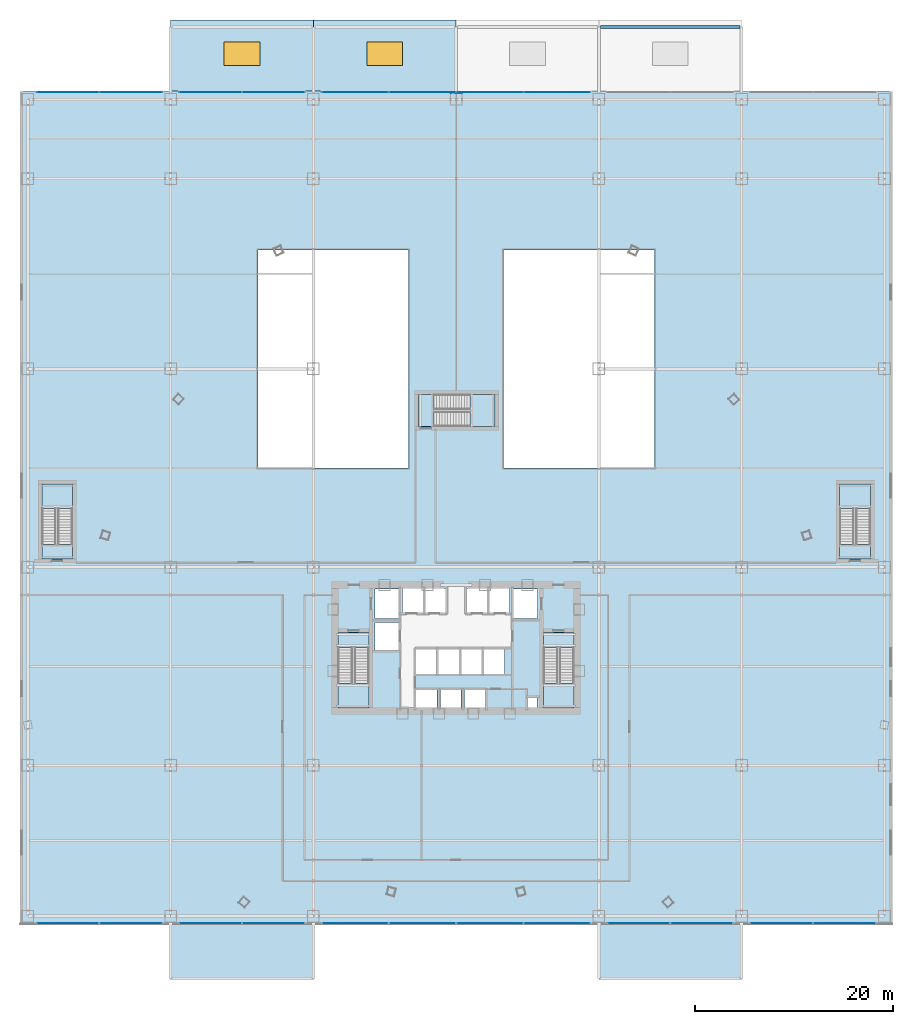
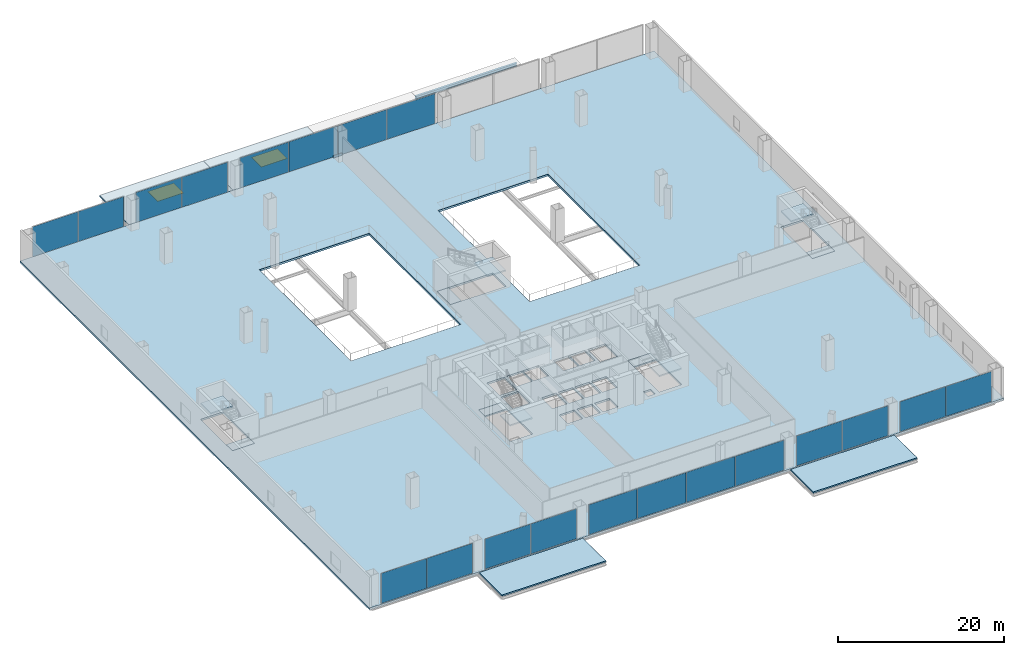
# One storey, part 31 of 42: 21 plates, 15 slabs, 2 windows, 1 beam, 2 openings, 13 elements without a shape of their own.
"""IFC4 building model written with IfcOpenShell, lengths in metres."""

from ifc_helpers import new_model, si_unit, direction, frame, origin, origin_2d, place, context, subcontext, project, spatial, polyline, rectangle, i_section, outline, extrude, source, transform, mapped, material, layer, layer_set, material_profile, profile_set, type_object, element, fill, aggregate, save


model = new_model("IFC4")

# Units and contexts
model_context = context("Model", 3, precision=1e-05, world=origin(), true_north=direction((0.0, 1.0)))
body_context = subcontext(model_context, "Body", "Model", "MODEL_VIEW")
ifc_project = project(units=[si_unit("LENGTHUNIT", "METRE"), si_unit("AREAUNIT", "SQUARE_METRE"), si_unit("VOLUMEUNIT", "CUBIC_METRE"), si_unit("PLANEANGLEUNIT", "RADIAN"), si_unit("MASSUNIT", "GRAM", prefix="KILO"), si_unit("THERMODYNAMICTEMPERATUREUNIT", "KELVIN"), si_unit("POWERUNIT", "WATT")], contexts=[model_context])

# Site, building, storey
site_placement = place(None, origin())
site = spatial("IfcSite", under=ifc_project, at=site_placement, CompositionType="ELEMENT")
building_placement = place(site_placement, origin())
building = spatial("IfcBuilding", under=site, at=building_placement, Name="Yunzhuo Pagoda Commons", CompositionType="ELEMENT")
storey_placement = place(building_placement, frame((0.0, 0.0, 4.800048828125)))
storey = spatial("IfcBuildingStorey", under=building, at=storey_placement, Name="L02", CompositionType="ELEMENT", Elevation=4.800048828125)

# Beam
ifc_material_1 = material(Name="Structural steel Q355B", Category="steel")
ifc_material_profile = material_profile(ifc_material_1, i_section(OverallWidth=0.300048828125, OverallDepth=0.43994140625, WebThickness=0.010986328125, FlangeThickness=0.01806640625, at=origin_2d()), Name="Structural steel Q355B")
ifc_profile_set = profile_set([ifc_material_profile], Name="Structural steel Q355B")
beam_type = type_object("IfcBeamType", Name="B-SP2 Beam HM 440x300x11x18", PredefinedType="BEAM", material=ifc_profile_set)
shared_shape_1 = source(origin(), body_context, "Body", "SweptSolid", [
    extrude(i_section(OverallWidth=0.300048828125, OverallDepth=0.43994140625, WebThickness=0.010986328125, FlangeThickness=0.01806640625, at=origin_2d()), origin(), (0.0, 0.0, 1.0), 14.079833984375),
])
beam_placement = place(storey_placement, frame((62.56005859375, 96.5, -0.5), z_axis=(1.0, 0.0, 0.0), x_axis=(0.0, 1.0, 0.0)))
element("IfcBeam", 1, at=beam_placement, inside=storey, type_object=beam_type, Name="North canopy edge beam 4", PredefinedType="BEAM", context=body_context, shape_type="MappedRepresentation", body=[
    mapped(shared_shape_1, transform((0.0, 0.0, 0.0), scale=1.0)),
])

# Stair, slabs
ifc_material_2 = material(Name="Concrete C40", Category="concrete")
stair_type_1 = type_object("IfcStairType", Name="ST-C1 Core Smokeproof Stair ST1", PredefinedType="HALF_TURN_STAIR", material=ifc_material_2)
stair_1_placement = place(storey_placement, origin())
stair_1 = element("IfcStair", 2, at=stair_1_placement, inside=storey, type_object=stair_type_1, Name="L02 Core smokeproof stair ST1", PredefinedType="HALF_TURN_STAIR")
ifc_layer_1 = layer(ifc_material_2, 0.199951171875)
ifc_layer_set_1 = layer_set([ifc_layer_1], Name="Concrete C40")
slab_type_1 = type_object("IfcSlabType", Name="SL-LND1 Stair Landing Slab 200", PredefinedType="LANDING", material=ifc_layer_set_1)
slab_1_placement = place(storey_placement, frame((0.0, 0.0, 2.199951171875)))
slab_1 = element("IfcSlab", 3, at=slab_1_placement, type_object=slab_type_1, Name="ST1 landing 1", PredefinedType="LANDING", context=body_context, shape_type="SweptSolid", body=[
    extrude(outline(polyline([(36.10009765625, 30.260009765625), (36.10009765625, 27.800048828125), (39.199951171875, 27.800048828125), (39.199951171875, 30.260009765625), (36.10009765625, 30.260009765625)])), origin(), (0.0, 0.0, 1.0), 0.199951171875),
])
slab_2_placement = place(storey_placement, frame((0.0, 0.0, -0.199951171875)))
slab_2 = element("IfcSlab", 4, at=slab_2_placement, type_object=slab_type_1, Name="ST1 floor landing L02", PredefinedType="LANDING", context=body_context, shape_type="SweptSolid", body=[
    extrude(outline(polyline([(36.10009765625, 35.39990234375), (36.10009765625, 33.89990234375), (39.199951171875, 33.89990234375), (39.199951171875, 35.39990234375), (36.10009765625, 35.39990234375)])), origin(), (0.0, 0.0, 1.0), 0.199951171875),
])
aggregate(stair_1, [slab_1, slab_2])

stair_type_2 = type_object("IfcStairType", Name="ST-C2 Core Smokeproof Stair ST2", PredefinedType="HALF_TURN_STAIR", material=ifc_material_2)
stair_2_placement = place(storey_placement, origin())
stair_2 = element("IfcStair", 5, at=stair_2_placement, inside=storey, type_object=stair_type_2, Name="L02 Core smokeproof stair ST2", PredefinedType="HALF_TURN_STAIR")
ifc_layer_2 = layer(ifc_material_2, 0.201904296875)
ifc_layer_set_2 = layer_set([ifc_layer_2], Name="Concrete C40")
slab_type_2 = type_object("IfcSlabType", Name="SL-LND2 Stair Landing Slab 202", PredefinedType="LANDING", material=ifc_layer_set_2)
slab_3_placement = place(storey_placement, frame((0.0, 0.0, 2.199951171875)))
slab_3 = element("IfcSlab", 6, at=slab_3_placement, type_object=slab_type_2, Name="ST2 landing 1", PredefinedType="LANDING", context=body_context, shape_type="SweptSolid", body=[
    extrude(outline(polyline([(56.800048828125, 30.260009765625), (56.800048828125, 27.800048828125), (59.89990234375, 27.800048828125), (59.89990234375, 30.260009765625), (56.800048828125, 30.260009765625)])), origin(), (0.0, 0.0, 1.0), 0.199951171875),
])
slab_4_placement = place(storey_placement, frame((0.0, 0.0, -0.199951171875)))
slab_4 = element("IfcSlab", 7, at=slab_4_placement, type_object=slab_type_2, Name="ST2 floor landing L02", PredefinedType="LANDING", context=body_context, shape_type="SweptSolid", body=[
    extrude(outline(polyline([(56.800048828125, 35.39990234375), (56.800048828125, 33.89990234375), (59.89990234375, 33.89990234375), (59.89990234375, 35.39990234375), (56.800048828125, 35.39990234375)])), origin(), (0.0, 0.0, 1.0), 0.199951171875),
])
aggregate(stair_2, [slab_3, slab_4])

stair_type_3 = type_object("IfcStairType", Name="ST-P3 Podium Exit Stair PS3", PredefinedType="HALF_TURN_STAIR", material=ifc_material_2)
stair_3_placement = place(storey_placement, origin())
stair_3 = element("IfcStair", 8, at=stair_3_placement, inside=storey, type_object=stair_type_3, Name="L02 Podium exit stair PS3", PredefinedType="HALF_TURN_STAIR")
ifc_layer_3 = layer(ifc_material_2, 0.2060546875)
ifc_layer_set_3 = layer_set([ifc_layer_3], Name="Concrete C40")
slab_type_3 = type_object("IfcSlabType", Name="SL-LND3 Podium Landing Slab 206", PredefinedType="LANDING", material=ifc_layer_set_3)
slab_5_placement = place(storey_placement, frame((0.0, 0.0, 2.199951171875)))
slab_5 = element("IfcSlab", 9, at=slab_5_placement, type_object=slab_type_3, Name="PS3 landing 1", PredefinedType="LANDING", context=body_context, shape_type="SweptSolid", body=[
    extrude(outline(polyline([(9.300048828125, 47.93994140625), (9.300048828125, 50.39990234375), (6.199951171875, 50.39990234375), (6.199951171875, 47.93994140625), (9.300048828125, 47.93994140625)])), origin(), (0.0, 0.0, 1.0), 0.199951171875),
])
slab_6_placement = place(storey_placement, frame((0.0, 0.0, -0.199951171875)))
slab_6 = element("IfcSlab", 10, at=slab_6_placement, type_object=slab_type_3, Name="PS3 floor landing L02", PredefinedType="LANDING", context=body_context, shape_type="SweptSolid", body=[
    extrude(outline(polyline([(9.300048828125, 42.800048828125), (9.300048828125, 44.300048828125), (6.199951171875, 44.300048828125), (6.199951171875, 42.800048828125), (9.300048828125, 42.800048828125)])), origin(), (0.0, 0.0, 1.0), 0.199951171875),
])
aggregate(stair_3, [slab_5, slab_6])

stair_type_4 = type_object("IfcStairType", Name="ST-P4 Podium Exit Stair PS4", PredefinedType="HALF_TURN_STAIR", material=ifc_material_2)
stair_4_placement = place(storey_placement, origin())
stair_4 = element("IfcStair", 11, at=stair_4_placement, inside=storey, type_object=stair_type_4, Name="L02 Podium exit stair PS4", PredefinedType="HALF_TURN_STAIR")
ifc_layer_4 = layer(ifc_material_2, 0.2080078125)
ifc_layer_set_4 = layer_set([ifc_layer_4], Name="Concrete C40")
slab_type_4 = type_object("IfcSlabType", Name="SL-LND4 Podium Landing Slab 208", PredefinedType="LANDING", material=ifc_layer_set_4)
slab_7_placement = place(storey_placement, frame((0.0, 0.0, 2.199951171875)))
slab_7 = element("IfcSlab", 12, at=slab_7_placement, type_object=slab_type_4, Name="PS4 landing 1", PredefinedType="LANDING", context=body_context, shape_type="SweptSolid", body=[
    extrude(outline(polyline([(89.800048828125, 47.93994140625), (89.800048828125, 50.39990234375), (86.699951171875, 50.39990234375), (86.699951171875, 47.93994140625), (89.800048828125, 47.93994140625)])), origin(), (0.0, 0.0, 1.0), 0.199951171875),
])
slab_8_placement = place(storey_placement, frame((0.0, 0.0, -0.199951171875)))
slab_8 = element("IfcSlab", 13, at=slab_8_placement, type_object=slab_type_4, Name="PS4 floor landing L02", PredefinedType="LANDING", context=body_context, shape_type="SweptSolid", body=[
    extrude(outline(polyline([(89.800048828125, 42.800048828125), (89.800048828125, 44.300048828125), (86.699951171875, 44.300048828125), (86.699951171875, 42.800048828125), (89.800048828125, 42.800048828125)])), origin(), (0.0, 0.0, 1.0), 0.199951171875),
])
aggregate(stair_4, [slab_7, slab_8])

stair_type_5 = type_object("IfcStairType", Name="ST-C3 North Tower Smokeproof Stair ST3", PredefinedType="HALF_TURN_STAIR", material=ifc_material_2)
stair_5_placement = place(storey_placement, origin())
stair_5 = element("IfcStair", 14, at=stair_5_placement, inside=storey, type_object=stair_type_5, Name="L02 North tower smokeproof stair ST3", PredefinedType="HALF_TURN_STAIR")
ifc_layer_5 = layer(ifc_material_2, 0.2041015625)
ifc_layer_set_5 = layer_set([ifc_layer_5], Name="Concrete C40")
slab_type_5 = type_object("IfcSlabType", Name="SL-LND5 North Landing Slab 204", PredefinedType="LANDING", material=ifc_layer_set_5)
slab_9_placement = place(storey_placement, frame((0.0, 0.0, 2.199951171875)))
slab_9 = element("IfcSlab", 15, at=slab_9_placement, type_object=slab_type_5, Name="ST3 landing 1", PredefinedType="LANDING", context=body_context, shape_type="SweptSolid", body=[
    extrude(outline(polyline([(49.389892578125, 56.199951171875), (51.89990234375, 56.199951171875), (51.89990234375, 59.39990234375), (49.389892578125, 59.39990234375), (49.389892578125, 56.199951171875)])), origin(), (0.0, 0.0, 1.0), 0.199951171875),
])
slab_10_placement = place(storey_placement, frame((0.0, 0.0, -0.199951171875)))
slab_10 = element("IfcSlab", 16, at=slab_10_placement, type_object=slab_type_5, Name="ST3 floor landing L02", PredefinedType="LANDING", context=body_context, shape_type="SweptSolid", body=[
    extrude(outline(polyline([(44.199951171875, 56.199951171875), (45.75, 56.199951171875), (45.75, 59.39990234375), (44.199951171875, 59.39990234375), (44.199951171875, 56.199951171875)])), origin(), (0.0, 0.0, 1.0), 0.199951171875),
])
aggregate(stair_5, [slab_9, slab_10])

# Slab
ifc_layer_6 = layer(ifc_material_2, 0.280029296875)
ifc_layer_set_6 = layer_set([ifc_layer_6], Name="Concrete C40")
slab_type_6 = type_object("IfcSlabType", Name="SL-POD Podium & Refuge Floor Slab 280", PredefinedType="FLOOR", material=ifc_layer_set_6)
slab_11_placement = place(storey_placement, frame((0.0, 0.0, -0.280029296875)))
element("IfcSlab", 17, at=slab_11_placement, inside=storey, type_object=slab_type_6, Name="L02 structural floor slab", PredefinedType="FLOOR", context=body_context, shape_type="SweptSolid", body=[
    extrude(outline(polyline([(4.0, 90.0), (92.0, 90.0), (92.0, 6.0), (4.0, 6.0), (4.0, 90.0)]), holes=[polyline([(46.050048828125, 27.60009765625), (46.050048828125, 29.64990234375), (43.949951171875, 29.64990234375), (43.949951171875, 27.60009765625), (46.050048828125, 27.60009765625)]), polyline([(48.5, 27.60009765625), (48.5, 29.64990234375), (46.39990234375, 29.64990234375), (46.39990234375, 27.60009765625), (48.5, 27.60009765625)]), polyline([(36.10009765625, 27.800048828125), (39.199951171875, 27.800048828125), (39.199951171875, 35.39990234375), (36.10009765625, 35.39990234375), (36.10009765625, 27.800048828125)]), polyline([(43.929931640625, 31.199951171875), (45.969970703125, 31.199951171875), (45.969970703125, 33.800048828125), (43.929931640625, 33.800048828125), (43.929931640625, 31.199951171875)]), polyline([(46.22998046875, 31.199951171875), (48.27001953125, 31.199951171875), (48.27001953125, 33.800048828125), (46.22998046875, 33.800048828125), (46.22998046875, 31.199951171875)]), polyline([(42.199951171875, 33.60009765625), (42.199951171875, 36.39990234375), (39.800048828125, 36.39990234375), (39.800048828125, 33.60009765625), (42.199951171875, 33.60009765625)]), polyline([(39.800048828125, 36.800048828125), (42.199951171875, 36.800048828125), (42.199951171875, 39.800048828125), (39.800048828125, 39.800048828125), (39.800048828125, 36.800048828125)]), polyline([(42.60009765625, 37.39990234375), (44.699951171875, 37.39990234375), (44.699951171875, 39.85009765625), (42.60009765625, 39.85009765625), (42.60009765625, 37.39990234375)]), polyline([(46.949951171875, 37.39990234375), (46.949951171875, 39.85009765625), (44.85009765625, 39.85009765625), (44.85009765625, 37.39990234375), (46.949951171875, 37.39990234375)]), polyline([(9.300048828125, 42.800048828125), (9.300048828125, 50.39990234375), (6.199951171875, 50.39990234375), (6.199951171875, 42.800048828125), (9.300048828125, 42.800048828125)]), polyline([(28.0, 52.0), (43.199951171875, 52.0), (43.199951171875, 74.0), (28.0, 74.0), (28.0, 52.0)]), polyline([(56.179931640625, 27.699951171875), (56.179931640625, 28.800048828125), (55.179931640625, 28.800048828125), (55.179931640625, 27.699951171875), (56.179931640625, 27.699951171875)]), polyline([(50.949951171875, 27.60009765625), (50.949951171875, 29.64990234375), (48.85009765625, 29.64990234375), (48.85009765625, 27.60009765625), (50.949951171875, 27.60009765625)]), polyline([(56.800048828125, 27.800048828125), (59.89990234375, 27.800048828125), (59.89990234375, 35.39990234375), (56.800048828125, 35.39990234375), (56.800048828125, 27.800048828125)]), polyline([(48.530029296875, 31.199951171875), (50.570068359375, 31.199951171875), (50.570068359375, 33.800048828125), (48.530029296875, 33.800048828125), (48.530029296875, 31.199951171875)]), polyline([(50.830078125, 31.199951171875), (52.8701171875, 31.199951171875), (52.8701171875, 33.800048828125), (50.830078125, 33.800048828125), (50.830078125, 31.199951171875)]), polyline([(56.199951171875, 36.800048828125), (56.199951171875, 39.800048828125), (53.800048828125, 39.800048828125), (53.800048828125, 36.800048828125), (56.199951171875, 36.800048828125)]), polyline([(49.050048828125, 37.39990234375), (51.14990234375, 37.39990234375), (51.14990234375, 39.85009765625), (49.050048828125, 39.85009765625), (49.050048828125, 37.39990234375)]), polyline([(51.300048828125, 37.39990234375), (53.39990234375, 37.39990234375), (53.39990234375, 39.85009765625), (51.300048828125, 39.85009765625), (51.300048828125, 37.39990234375)]), polyline([(89.800048828125, 50.39990234375), (86.699951171875, 50.39990234375), (86.699951171875, 42.800048828125), (89.800048828125, 42.800048828125), (89.800048828125, 50.39990234375)]), polyline([(44.199951171875, 56.199951171875), (51.89990234375, 56.199951171875), (51.89990234375, 59.39990234375), (44.199951171875, 59.39990234375), (44.199951171875, 56.199951171875)]), polyline([(52.800048828125, 52.0), (68.0, 52.0), (68.0, 74.0), (52.800048828125, 74.0), (52.800048828125, 52.0)])]), origin(), (0.0, 0.0, 1.0), 0.280029296875),
])

# Slab, opening, window
ifc_layer_7 = layer(ifc_material_2, 0.199951171875)
ifc_layer_set_7 = layer_set([ifc_layer_7], Name="Concrete C40")
slab_type_7 = type_object("IfcSlabType", Name="SL-RF2 Entrance Canopy Roof Slab 200", PredefinedType="ROOF", material=ifc_layer_set_7)
slab_12_placement = place(storey_placement, frame((0.0, 0.0, -0.280029296875)))
slab_12 = element("IfcSlab", 18, at=slab_12_placement, inside=storey, type_object=slab_type_7, Name="North waterfront concourse canopy roof 1", PredefinedType="ROOF", context=body_context, shape_type="SweptSolid", body=[
    extrude(outline(polyline([(19.199951171875, 90.02001953125), (33.60009765625, 90.02001953125), (33.60009765625, 97.199951171875), (19.199951171875, 97.199951171875), (19.199951171875, 90.02001953125)])), origin(), (0.0, 0.0, 1.0), 0.199951171875),
])
opening_1_placement = place(slab_12_placement, frame((26.39990234375, 93.800048828125, -0.010009765625)))
opening_1 = element("IfcOpeningElement", 19, at=opening_1_placement, cuts=slab_12, Name="Opening SK-01", PredefinedType="OPENING", context=body_context, shape_type="SweptSolid", body=[
    extrude(rectangle(XDim=3.60009765625, YDim=2.39990234375, at=origin_2d()), origin(), (0.0, 0.0, 1.0), 0.219970703125),
])
ifc_material_3 = material(Name="Tempered low-e double glazing", Category="glass")
window_type = type_object("IfcWindowType", Name="SK-01 Concourse Roof Skylight 3600x2400", PartitioningType="SINGLE_PANEL", PredefinedType="SKYLIGHT", material=ifc_material_3)
window_1_placement = place(opening_1_placement, frame((0.0, 0.0, 0.159912109375)))
window_1 = element("IfcWindow", 20, at=window_1_placement, inside=storey, type_object=window_type, Name="Waterfront canopy skylight 1", OverallHeight=2.39990234375, OverallWidth=3.60009765625, PartitioningType="SINGLE_PANEL", PredefinedType="SKYLIGHT", context=body_context, shape_type="SweptSolid", body=[
    extrude(rectangle(XDim=3.60009765625, YDim=2.39990234375, at=origin_2d()), origin(), (0.0, 0.0, 1.0), 0.050048828125),
])
fill(opening_1, window_1)

slab_13_placement = place(storey_placement, frame((0.0, 0.0, -0.280029296875)))
slab_13 = element("IfcSlab", 21, at=slab_13_placement, inside=storey, type_object=slab_type_7, Name="North waterfront concourse canopy roof 2", PredefinedType="ROOF", context=body_context, shape_type="SweptSolid", body=[
    extrude(outline(polyline([(33.60009765625, 90.02001953125), (48.0, 90.02001953125), (48.0, 97.199951171875), (33.60009765625, 97.199951171875), (33.60009765625, 90.02001953125)])), origin(), (0.0, 0.0, 1.0), 0.199951171875),
])
opening_2_placement = place(slab_13_placement, frame((40.800048828125, 93.800048828125, -0.010009765625)))
opening_2 = element("IfcOpeningElement", 22, at=opening_2_placement, cuts=slab_13, Name="Opening SK-01", PredefinedType="OPENING", context=body_context, shape_type="SweptSolid", body=[
    extrude(rectangle(XDim=3.60009765625, YDim=2.39990234375, at=origin_2d()), origin(), (0.0, 0.0, 1.0), 0.219970703125),
])
window_2_placement = place(opening_2_placement, frame((0.0, 0.0, 0.159912109375)))
window_2 = element("IfcWindow", 23, at=window_2_placement, inside=storey, type_object=window_type, Name="Waterfront canopy skylight 2", OverallHeight=2.39990234375, OverallWidth=3.60009765625, PartitioningType="SINGLE_PANEL", PredefinedType="SKYLIGHT", context=body_context, shape_type="SweptSolid", body=[
    extrude(rectangle(XDim=3.60009765625, YDim=2.39990234375, at=origin_2d()), origin(), (0.0, 0.0, 1.0), 0.050048828125),
])
fill(opening_2, window_2)

# Slabs
slab_14_placement = place(storey_placement, frame((0.0, 0.0, -0.280029296875)))
element("IfcSlab", 24, at=slab_14_placement, inside=storey, type_object=slab_type_7, Name="South entrance canopy roof 1", PredefinedType="ROOF", context=body_context, shape_type="SweptSolid", body=[
    extrude(outline(polyline([(19.199951171875, 0.5), (33.60009765625, 0.5), (33.60009765625, 5.97998046875), (19.199951171875, 5.97998046875), (19.199951171875, 0.5)])), origin(), (0.0, 0.0, 1.0), 0.199951171875),
])
slab_15_placement = place(storey_placement, frame((0.0, 0.0, -0.280029296875)))
element("IfcSlab", 25, at=slab_15_placement, inside=storey, type_object=slab_type_7, Name="South entrance canopy roof 2", PredefinedType="ROOF", context=body_context, shape_type="SweptSolid", body=[
    extrude(outline(polyline([(62.39990234375, 0.5), (76.800048828125, 0.5), (76.800048828125, 5.97998046875), (62.39990234375, 5.97998046875), (62.39990234375, 0.5)])), origin(), (0.0, 0.0, 1.0), 0.199951171875),
])

# Curtain wall, plates
ifc_material_4 = material(Name="Anodized aluminium 6063-T6", Category="aluminium")
ifc_layer_8 = layer(ifc_material_4, 0.179931640625)
ifc_layer_set_8 = layer_set([ifc_layer_8], Name="Anodized aluminium 6063-T6")
curtain_wall_type = type_object("IfcCurtainWallType", Name="CW-POD Waterfront Podium Curtain Wall", PredefinedType="NOTDEFINED", material=ifc_layer_set_8)
curtain_wall_1_placement = place(storey_placement, origin())
curtain_wall_1 = element("IfcCurtainWall", 26, at=curtain_wall_1_placement, inside=storey, type_object=curtain_wall_type, Name="L02 curtain wall CW-L02-S3", PredefinedType="NOTDEFINED")
ifc_layer_9 = layer(ifc_material_3, 0.031982421875)
ifc_layer_set_9 = layer_set([ifc_layer_9], Name="Tempered low-e double glazing")
plate_type_1 = type_object("IfcPlateType", Name="CW-POD-P Low-E Double Glazing 32", PredefinedType="CURTAIN_PANEL", material=ifc_layer_set_9)
shared_shape_2 = source(origin(), body_context, "Body", "SweptSolid", [
    extrude(rectangle(XDim=6.702392578125, YDim=0.028076171875, at=origin_2d()), origin(), (0.0, 0.0, 1.0), 4.39990234375),
])
plate_1_placement = place(storey_placement, frame((37.816162109375, 6.080078125, 0.06005859375), z_axis=(0.0, 0.0, 1.0), x_axis=(1.0, 0.0, 0.0)))
plate_1 = element("IfcPlate", 27, at=plate_1_placement, type_object=plate_type_1, Name="CW panel 1.1", PredefinedType="CURTAIN_PANEL", context=body_context, shape_type="MappedRepresentation", body=[
    mapped(shared_shape_2, transform((0.0, 0.0, 0.0), scale=1.0)),
])
plate_2_placement = place(storey_placement, frame((58.183837890625, 6.080078125, 0.06005859375), z_axis=(0.0, 0.0, 1.0), x_axis=(1.0, 0.0, 0.0)))
plate_2 = element("IfcPlate", 28, at=plate_2_placement, type_object=plate_type_1, Name="CW panel 4.1", PredefinedType="CURTAIN_PANEL", context=body_context, shape_type="MappedRepresentation", body=[
    mapped(shared_shape_2, transform((0.0, 0.0, 0.0), scale=1.0)),
])

curtain_wall_2_placement = place(storey_placement, origin())
curtain_wall_2 = element("IfcCurtainWall", 29, at=curtain_wall_2_placement, inside=storey, type_object=curtain_wall_type, Name="L02 curtain wall CW-L02-N3", PredefinedType="NOTDEFINED")
plate_3_placement = place(storey_placement, frame((37.816162109375, 89.919921875, 0.06005859375), z_axis=(0.0, 0.0, 1.0), x_axis=(1.0, 0.0, 0.0)))
plate_3 = element("IfcPlate", 30, at=plate_3_placement, type_object=plate_type_1, Name="CW panel 1.1", PredefinedType="CURTAIN_PANEL", context=body_context, shape_type="MappedRepresentation", body=[
    mapped(shared_shape_2, transform((0.0, 0.0, 0.0), scale=1.0)),
])
plate_4_placement = place(storey_placement, frame((58.183837890625, 89.919921875, 0.06005859375), z_axis=(0.0, 0.0, 1.0), x_axis=(1.0, 0.0, 0.0)))
plate_4 = element("IfcPlate", 31, at=plate_4_placement, type_object=plate_type_1, Name="CW panel 4.1", PredefinedType="CURTAIN_PANEL", context=body_context, shape_type="MappedRepresentation", body=[
    mapped(shared_shape_2, transform((0.0, 0.0, 0.0), scale=1.0)),
])

curtain_wall_3_placement = place(storey_placement, origin())
curtain_wall_3 = element("IfcCurtainWall", 32, at=curtain_wall_3_placement, inside=storey, type_object=curtain_wall_type, Name="L02 curtain wall CW-L02-S1", PredefinedType="NOTDEFINED")
shared_shape_3 = source(origin(), body_context, "Body", "SweptSolid", [
    extrude(rectangle(XDim=6.302490234375, YDim=0.028076171875, at=origin_2d()), origin(), (0.0, 0.0, 1.0), 4.39990234375),
])
plate_5_placement = place(storey_placement, frame((8.816162109375, 6.080078125, 0.06005859375), z_axis=(0.0, 0.0, 1.0), x_axis=(1.0, 0.0, 0.0)))
plate_5 = element("IfcPlate", 33, at=plate_5_placement, type_object=plate_type_1, Name="CW panel 1.1", PredefinedType="CURTAIN_PANEL", context=body_context, shape_type="MappedRepresentation", body=[
    mapped(shared_shape_3, transform((0.0, 0.0, 0.0), scale=1.0)),
])
plate_6_placement = place(storey_placement, frame((15.183837890625, 6.080078125, 0.06005859375), z_axis=(0.0, 0.0, 1.0), x_axis=(1.0, 0.0, 0.0)))
plate_6 = element("IfcPlate", 34, at=plate_6_placement, type_object=plate_type_1, Name="CW panel 2.1", PredefinedType="CURTAIN_PANEL", context=body_context, shape_type="MappedRepresentation", body=[
    mapped(shared_shape_3, transform((0.0, 0.0, 0.0), scale=1.0)),
])
aggregate(curtain_wall_3, [plate_5, plate_6])

curtain_wall_4_placement = place(storey_placement, origin())
curtain_wall_4 = element("IfcCurtainWall", 35, at=curtain_wall_4_placement, inside=storey, type_object=curtain_wall_type, Name="L02 curtain wall CW-L02-S2", PredefinedType="NOTDEFINED")
plate_7_placement = place(storey_placement, frame((23.21630859375, 6.080078125, 0.06005859375), z_axis=(0.0, 0.0, 1.0), x_axis=(1.0, 0.0, 0.0)))
plate_7 = element("IfcPlate", 36, at=plate_7_placement, type_object=plate_type_1, Name="CW panel 1.1", PredefinedType="CURTAIN_PANEL", context=body_context, shape_type="MappedRepresentation", body=[
    mapped(shared_shape_3, transform((0.0, 0.0, 0.0), scale=1.0)),
])
plate_8_placement = place(storey_placement, frame((29.583740234375, 6.080078125, 0.06005859375), z_axis=(0.0, 0.0, 1.0), x_axis=(1.0, 0.0, 0.0)))
plate_8 = element("IfcPlate", 37, at=plate_8_placement, type_object=plate_type_1, Name="CW panel 2.1", PredefinedType="CURTAIN_PANEL", context=body_context, shape_type="MappedRepresentation", body=[
    mapped(shared_shape_3, transform((0.0, 0.0, 0.0), scale=1.0)),
])
aggregate(curtain_wall_4, [plate_7, plate_8])

curtain_wall_5_placement = place(storey_placement, origin())
curtain_wall_5 = element("IfcCurtainWall", 38, at=curtain_wall_5_placement, inside=storey, type_object=curtain_wall_type, Name="L02 curtain wall CW-L02-S4", PredefinedType="NOTDEFINED")
plate_9_placement = place(storey_placement, frame((66.416259765625, 6.080078125, 0.06005859375), z_axis=(0.0, 0.0, 1.0), x_axis=(1.0, 0.0, 0.0)))
plate_9 = element("IfcPlate", 39, at=plate_9_placement, type_object=plate_type_1, Name="CW panel 1.1", PredefinedType="CURTAIN_PANEL", context=body_context, shape_type="MappedRepresentation", body=[
    mapped(shared_shape_3, transform((0.0, 0.0, 0.0), scale=1.0)),
])
plate_10_placement = place(storey_placement, frame((72.78369140625, 6.080078125, 0.06005859375), z_axis=(0.0, 0.0, 1.0), x_axis=(1.0, 0.0, 0.0)))
plate_10 = element("IfcPlate", 40, at=plate_10_placement, type_object=plate_type_1, Name="CW panel 2.1", PredefinedType="CURTAIN_PANEL", context=body_context, shape_type="MappedRepresentation", body=[
    mapped(shared_shape_3, transform((0.0, 0.0, 0.0), scale=1.0)),
])
aggregate(curtain_wall_5, [plate_9, plate_10])

curtain_wall_6_placement = place(storey_placement, origin())
curtain_wall_6 = element("IfcCurtainWall", 41, at=curtain_wall_6_placement, inside=storey, type_object=curtain_wall_type, Name="L02 curtain wall CW-L02-S5", PredefinedType="NOTDEFINED")
plate_11_placement = place(storey_placement, frame((80.816162109375, 6.080078125, 0.06005859375), z_axis=(0.0, 0.0, 1.0), x_axis=(1.0, 0.0, 0.0)))
plate_11 = element("IfcPlate", 42, at=plate_11_placement, type_object=plate_type_1, Name="CW panel 1.1", PredefinedType="CURTAIN_PANEL", context=body_context, shape_type="MappedRepresentation", body=[
    mapped(shared_shape_3, transform((0.0, 0.0, 0.0), scale=1.0)),
])
plate_12_placement = place(storey_placement, frame((87.183837890625, 6.080078125, 0.06005859375), z_axis=(0.0, 0.0, 1.0), x_axis=(1.0, 0.0, 0.0)))
plate_12 = element("IfcPlate", 43, at=plate_12_placement, type_object=plate_type_1, Name="CW panel 2.1", PredefinedType="CURTAIN_PANEL", context=body_context, shape_type="MappedRepresentation", body=[
    mapped(shared_shape_3, transform((0.0, 0.0, 0.0), scale=1.0)),
])
aggregate(curtain_wall_6, [plate_11, plate_12])

curtain_wall_7_placement = place(storey_placement, origin())
curtain_wall_7 = element("IfcCurtainWall", 44, at=curtain_wall_7_placement, inside=storey, type_object=curtain_wall_type, Name="L02 curtain wall CW-L02-N1", PredefinedType="NOTDEFINED")
plate_13_placement = place(storey_placement, frame((8.816162109375, 89.919921875, 0.06005859375), z_axis=(0.0, 0.0, 1.0), x_axis=(1.0, 0.0, 0.0)))
plate_13 = element("IfcPlate", 45, at=plate_13_placement, type_object=plate_type_1, Name="CW panel 1.1", PredefinedType="CURTAIN_PANEL", context=body_context, shape_type="MappedRepresentation", body=[
    mapped(shared_shape_3, transform((0.0, 0.0, 0.0), scale=1.0)),
])
plate_14_placement = place(storey_placement, frame((15.183837890625, 89.919921875, 0.06005859375), z_axis=(0.0, 0.0, 1.0), x_axis=(1.0, 0.0, 0.0)))
plate_14 = element("IfcPlate", 46, at=plate_14_placement, type_object=plate_type_1, Name="CW panel 2.1", PredefinedType="CURTAIN_PANEL", context=body_context, shape_type="MappedRepresentation", body=[
    mapped(shared_shape_3, transform((0.0, 0.0, 0.0), scale=1.0)),
])
aggregate(curtain_wall_7, [plate_13, plate_14])

curtain_wall_8_placement = place(storey_placement, origin())
curtain_wall_8 = element("IfcCurtainWall", 47, at=curtain_wall_8_placement, inside=storey, type_object=curtain_wall_type, Name="L02 curtain wall CW-L02-N2", PredefinedType="NOTDEFINED")
plate_15_placement = place(storey_placement, frame((23.21630859375, 89.919921875, 0.06005859375), z_axis=(0.0, 0.0, 1.0), x_axis=(1.0, 0.0, 0.0)))
plate_15 = element("IfcPlate", 48, at=plate_15_placement, type_object=plate_type_1, Name="CW panel 1.1", PredefinedType="CURTAIN_PANEL", context=body_context, shape_type="MappedRepresentation", body=[
    mapped(shared_shape_3, transform((0.0, 0.0, 0.0), scale=1.0)),
])
plate_16_placement = place(storey_placement, frame((29.583740234375, 89.919921875, 0.06005859375), z_axis=(0.0, 0.0, 1.0), x_axis=(1.0, 0.0, 0.0)))
plate_16 = element("IfcPlate", 49, at=plate_16_placement, type_object=plate_type_1, Name="CW panel 2.1", PredefinedType="CURTAIN_PANEL", context=body_context, shape_type="MappedRepresentation", body=[
    mapped(shared_shape_3, transform((0.0, 0.0, 0.0), scale=1.0)),
])
aggregate(curtain_wall_8, [plate_15, plate_16])

# Plate
shared_shape_4 = source(origin(), body_context, "Body", "SweptSolid", [
    extrude(rectangle(XDim=6.735107421875, YDim=0.028076171875, at=origin_2d()), origin(), (0.0, 0.0, 1.0), 4.39990234375),
])
plate_17_placement = place(storey_placement, frame((44.60009765625, 6.080078125, 0.06005859375), z_axis=(0.0, 0.0, 1.0), x_axis=(1.0, 0.0, 0.0)))
plate_17 = element("IfcPlate", 50, at=plate_17_placement, type_object=plate_type_1, Name="CW panel 2.1", PredefinedType="CURTAIN_PANEL", context=body_context, shape_type="MappedRepresentation", body=[
    mapped(shared_shape_4, transform((0.0, 0.0, 0.0), scale=1.0)),
])

plate_18_placement = place(storey_placement, frame((51.39990234375, 6.080078125, 0.06005859375), z_axis=(0.0, 0.0, 1.0), x_axis=(1.0, 0.0, 0.0)))
plate_18 = element("IfcPlate", 51, at=plate_18_placement, type_object=plate_type_1, Name="CW panel 3.1", PredefinedType="CURTAIN_PANEL", context=body_context, shape_type="MappedRepresentation", body=[
    mapped(shared_shape_4, transform((0.0, 0.0, 0.0), scale=1.0)),
])

aggregate(curtain_wall_1, [plate_1, plate_17, plate_18, plate_2])

plate_19_placement = place(storey_placement, frame((44.60009765625, 89.919921875, 0.06005859375), z_axis=(0.0, 0.0, 1.0), x_axis=(1.0, 0.0, 0.0)))
plate_19 = element("IfcPlate", 52, at=plate_19_placement, type_object=plate_type_1, Name="CW panel 2.1", PredefinedType="CURTAIN_PANEL", context=body_context, shape_type="MappedRepresentation", body=[
    mapped(shared_shape_4, transform((0.0, 0.0, 0.0), scale=1.0)),
])

plate_20_placement = place(storey_placement, frame((51.39990234375, 89.919921875, 0.06005859375), z_axis=(0.0, 0.0, 1.0), x_axis=(1.0, 0.0, 0.0)))
plate_20 = element("IfcPlate", 53, at=plate_20_placement, type_object=plate_type_1, Name="CW panel 3.1", PredefinedType="CURTAIN_PANEL", context=body_context, shape_type="MappedRepresentation", body=[
    mapped(shared_shape_4, transform((0.0, 0.0, 0.0), scale=1.0)),
])

aggregate(curtain_wall_2, [plate_3, plate_19, plate_20, plate_4])

ifc_layer_10 = layer(ifc_material_4, 0.011962890625)
ifc_layer_set_10 = layer_set([ifc_layer_10], Name="Anodized aluminium 6063-T6")
plate_type_2 = type_object("IfcPlateType", Name="PL-CLOS1 Spandrel Closure Sheet", PredefinedType="SHEET", material=ifc_layer_set_10)
shared_shape_5 = source(origin(), body_context, "Body", "SweptSolid", [
    extrude(rectangle(XDim=1.199951171875, YDim=0.199951171875, at=origin_2d()), origin(), (0.0, 0.0, 1.0), 0.449951171875),
])
plate_21_placement = place(storey_placement, frame((48.0, 89.919921875, -0.125), z_axis=(0.0, 0.0, 1.0), x_axis=(1.0, 0.0, 0.0)))
element("IfcPlate", 54, at=plate_21_placement, inside=storey, type_object=plate_type_2, Name="L02 spandrel closure sheet", PredefinedType="SHEET", context=body_context, shape_type="MappedRepresentation", body=[
    mapped(shared_shape_5, transform((0.0, 0.0, 0.0), scale=1.0)),
])

save(model, "model.ifc")
